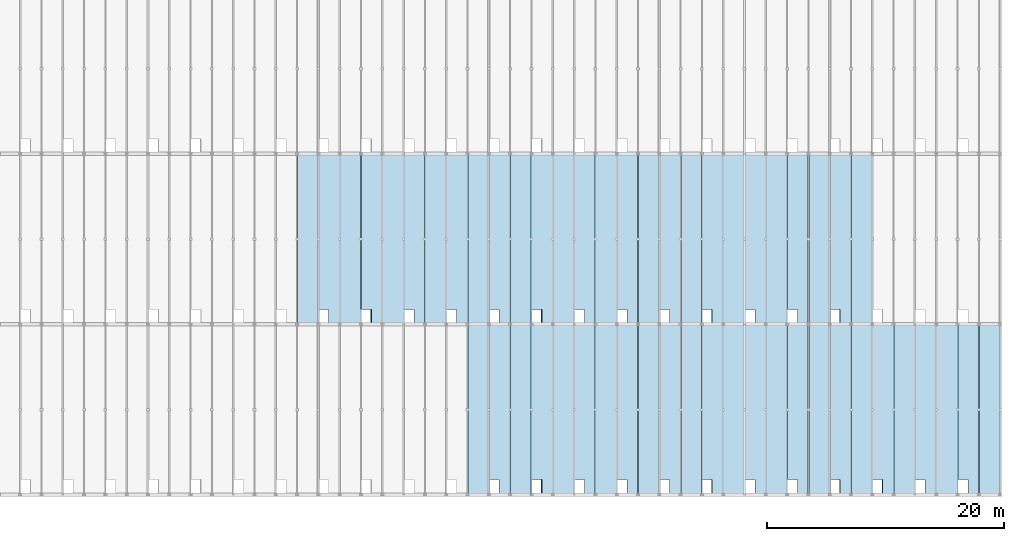
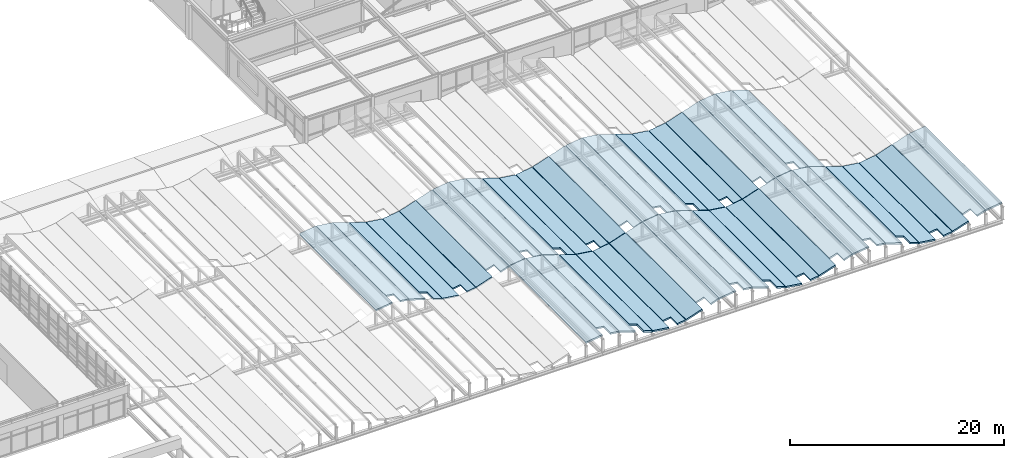
# One storey, part 58 of 83: 52 slabs.
"""IFC4 building model written with IfcOpenShell, lengths in metres."""

import ifcopenshell
import ifcopenshell.guid

model = None  # the IFC model being written
_history = None  # IfcOwnerHistory: only IFC2X3 demands one
_inside = {}  # id of a spatial element -> (the spatial element, [elements in it])
_under = {}  # id of a project, library or spatial element -> (it, [spatial elements below it])
_declared = {}  # id of a project -> (the project, [libraries it declares])
_typed = {}  # id of a type object -> (the type object, [elements of that type])
_made_of = {}  # id of a material, layer set ... -> (it, [elements and type objects made of it])


def new_model(schema):
    """Start an empty IFC model of exactly this schema.

    Asked for "IFC4X3", IfcOpenShell would pick the latest addendum, in which some entities
    have other attributes; the version numbers below select the first issue.
    IFC2X3 requires an IfcOwnerHistory on every rooted entity: one is made here for all.
    """
    global model, _history
    if schema == "IFC4X3":
        model = ifcopenshell.file(schema_version=(4, 3, 0, 0))
    else:
        model = ifcopenshell.file(schema=schema)
    _inside.clear()
    _under.clear()
    _declared.clear()
    _typed.clear()
    _made_of.clear()
    _history = None
    if model.schema == "IFC2X3":
        org = make("IfcOrganization", Name="unknown")
        user = make(
            "IfcPersonAndOrganization",
            ThePerson=make("IfcPerson", FamilyName="unknown"),
            TheOrganization=org,
        )
        app = make(
            "IfcApplication",
            ApplicationDeveloper=org,
            Version="unknown",
            ApplicationFullName="unknown",
            ApplicationIdentifier="unknown",
        )
        _history = make(
            "IfcOwnerHistory",
            OwningUser=user,
            OwningApplication=app,
            ChangeAction="ADDED",
            CreationDate=0,
        )
    return model


def make(cls, **values):
    """One entity of the class cls with the attributes given. An attribute that is None is left unset."""
    return model.create_entity(
        cls, **{name: value for name, value in values.items() if value is not None}
    )


def rooted(cls, **values):
    """An entity with a GlobalId (a new one), such as an element, a storey or a relation."""
    return make(cls, GlobalId=ifcopenshell.guid.new(), OwnerHistory=_history, **values)


def si_unit(unit_type, name, prefix=None):
    """IfcSIUnit, for example si_unit("LENGTHUNIT", "METRE", prefix="MILLI")."""
    return make("IfcSIUnit", UnitType=unit_type, Prefix=prefix, Name=name)


def assignment(units):
    """IfcUnitAssignment: the units of a project."""
    return None if units is None else make("IfcUnitAssignment", Units=units)


def point(xyz):
    """IfcCartesianPoint."""
    return None if xyz is None else make("IfcCartesianPoint", Coordinates=xyz)


def direction(xyz):
    """IfcDirection."""
    return None if xyz is None else make("IfcDirection", DirectionRatios=xyz)


def frame(location, z_axis=None, x_axis=None):
    """IfcAxis2Placement3D, a coordinate frame: its origin and axes. An axis left out is left unset."""
    return make(
        "IfcAxis2Placement3D",
        Location=point(location),
        Axis=direction(z_axis),
        RefDirection=direction(x_axis),
    )


def origin():
    """The frame at (0, 0, 0) with its axes left unset."""
    return frame((0.0, 0.0, 0.0))


def place(relative_to, where):
    """IfcLocalPlacement: puts the frame where relative to a parent placement (None: the world)."""
    return make(
        "IfcLocalPlacement", PlacementRelTo=relative_to, RelativePlacement=where
    )


def context(
    kind, dimensions, precision=None, world=None, true_north=None, identifier=None
):
    """IfcGeometricRepresentationContext, for example the 3D "Model" context."""
    return make(
        "IfcGeometricRepresentationContext",
        ContextIdentifier=identifier,
        ContextType=kind,
        CoordinateSpaceDimension=dimensions,
        Precision=precision,
        WorldCoordinateSystem=world,
        TrueNorth=true_north,
    )


def subcontext(parent, identifier, kind, view, scale=None):
    """IfcGeometricRepresentationSubContext, for example "Body" below "Model"."""
    return make(
        "IfcGeometricRepresentationSubContext",
        ContextIdentifier=identifier,
        ContextType=kind,
        ParentContext=parent,
        TargetScale=scale,
        TargetView=view,
    )


def project(units=None, contexts=None):
    """IfcProject with its units and contexts."""
    return rooted(
        "IfcProject",
        Name="project",
        RepresentationContexts=contexts,
        UnitsInContext=assignment(units),
    )


def spatial(cls, under=None, at=None, **own):
    """A site, building, storey or space (cls), placed at a placement, below another one or the project."""
    s = rooted(cls, ObjectPlacement=at, **own)
    if under is not None:
        _under.setdefault(under.id(), (under, []))[1].append(s)
    return s


def polyline(points):
    """IfcPolyline through the points."""
    return make("IfcPolyline", Points=[point(p) for p in points])


def outline(outer, holes=None, kind="AREA"):
    """IfcArbitraryClosedProfileDef: a profile drawn as a closed curve; with holes, ...WithVoids."""
    if holes is None:
        return make("IfcArbitraryClosedProfileDef", ProfileType=kind, OuterCurve=outer)
    return make(
        "IfcArbitraryProfileDefWithVoids",
        ProfileType=kind,
        OuterCurve=outer,
        InnerCurves=holes,
    )


def extrude(swept, where, along, depth):
    """IfcExtrudedAreaSolid: the profile swept, set in the frame where, extruded along a direction by depth."""
    return make(
        "IfcExtrudedAreaSolid",
        SweptArea=swept,
        Position=where,
        ExtrudedDirection=direction(along),
        Depth=depth,
    )


def shape(context_of_items, identifier, shape_type, items):
    """IfcShapeRepresentation: the items that make up one representation, for example the "Body"."""
    return make(
        "IfcShapeRepresentation",
        ContextOfItems=context_of_items,
        RepresentationIdentifier=identifier,
        RepresentationType=shape_type,
        Items=items,
    )


def material(Name=None, Category=None):
    """IfcMaterial."""
    return make("IfcMaterial", Name=Name, Category=Category)


def layer(
    of_material, thickness, ventilated=None, Name=None, Category=None, Priority=None
):
    """IfcMaterialLayer: one layer of a wall or slab, of a material (None: an air gap)."""
    return make(
        "IfcMaterialLayer",
        Material=of_material,
        LayerThickness=thickness,
        IsVentilated=ventilated,
        Name=Name,
        Category=Category,
        Priority=Priority,
    )


def layer_set(layers, Name=None):
    """IfcMaterialLayerSet."""
    return make("IfcMaterialLayerSet", MaterialLayers=layers, LayerSetName=Name)


def made_of(thing, what):
    """Note that an element or type object is made of a material, layer set ...; save() writes the relation."""
    if what is not None:
        _made_of.setdefault(what.id(), (what, []))[1].append(thing)
    return thing


def type_object(cls, material=None, **own):
    """A type object (cls), such as IfcWallType, which elements share."""
    return made_of(rooted(cls, **own), material)


def element(
    cls,
    number,
    at=None,
    inside=None,
    cuts=None,
    type_object=None,
    material=None,
    context=None,
    identifier="Body",
    shape_type=None,
    held_by="IfcProductDefinitionShape",
    body=None,
    shapes=None,
    **own,
):
    """One element of the class cls, such as IfcWall. Its Tag is "e" and its number.

    at: its placement. inside: the storey or other place that contains it. cuts: it is an
    opening in that element (IfcRelVoidsElement). A single representation is given by context,
    identifier, shape_type and body (its items); several are given by shapes. held_by: the class
    of the entity that holds the representations. save() writes the other relations.
    """
    e = rooted(cls, Tag="e%d" % number, ObjectPlacement=at, **own)
    if body is not None:
        shapes = [shape(context, identifier, shape_type, body)]
    if shapes is not None:
        e.Representation = make(held_by, Representations=shapes)
    if inside is not None:
        _inside.setdefault(inside.id(), (inside, []))[1].append(e)
    if cuts is not None:
        rooted(
            "IfcRelVoidsElement", RelatingBuildingElement=cuts, RelatedOpeningElement=e
        )
    if type_object is not None:
        _typed.setdefault(type_object.id(), (type_object, []))[1].append(e)
    return made_of(e, material)


def aggregate(whole, parts):
    """IfcRelAggregates: a whole, such as a stair, and the parts it consists of."""
    return rooted("IfcRelAggregates", RelatingObject=whole, RelatedObjects=parts)


def save(model, path):
    """Write the relations noted so far, then the file.

    IfcRelAggregates (storeys below a building ...), IfcRelContainedInSpatialStructure (elements
    in a storey), IfcRelDefinesByType, IfcRelAssociatesMaterial and IfcRelDeclares: one each for
    every whole, place, type object, material and project.
    """
    for whole, parts in _under.values():
        aggregate(whole, parts)
    for where, things in _inside.values():
        rooted(
            "IfcRelContainedInSpatialStructure",
            RelatedElements=things,
            RelatingStructure=where,
        )
    for kind, things in _typed.values():
        rooted("IfcRelDefinesByType", RelatedObjects=things, RelatingType=kind)
    for what, things in _made_of.values():
        rooted("IfcRelAssociatesMaterial", RelatedObjects=things, RelatingMaterial=what)
    for by, libraries in _declared.values():
        rooted("IfcRelDeclares", RelatingContext=by, RelatedDefinitions=libraries)
    model.write(path)


model = new_model("IFC4")

# Units and contexts
model_context = context("Model", 3, precision=1e-05, world=origin(), true_north=direction((0.0, 1.0)))
body_context = subcontext(model_context, "Body", "Model", "MODEL_VIEW")
ifc_project = project(units=[si_unit("LENGTHUNIT", "METRE"), si_unit("AREAUNIT", "SQUARE_METRE"), si_unit("VOLUMEUNIT", "CUBIC_METRE"), si_unit("PLANEANGLEUNIT", "RADIAN"), si_unit("MASSUNIT", "GRAM", prefix="KILO")], contexts=[model_context])

# Site, building, storey
site_placement = place(None, origin())
site = spatial("IfcSite", under=ifc_project, at=site_placement, CompositionType="ELEMENT")
building_placement = place(site_placement, origin())
building = spatial("IfcBuilding", under=site, at=building_placement, Name="Leyfeld Transit Interchange", CompositionType="ELEMENT")
storey_placement = place(building_placement, frame((0.0, 0.0, 5.39990234375)))
storey = spatial("IfcBuildingStorey", under=building, at=storey_placement, Name="L01", CompositionType="ELEMENT", Elevation=5.39990234375)

# Slabs
ifc_material = material(Name="Precast concrete C40/50", Category="concrete")
ifc_layer_1 = layer(ifc_material, 0.1650390625, Name="Precast concrete C40/50")
ifc_layer_set_1 = layer_set([ifc_layer_1], Name="Precast concrete C40/50")
slab_type_1 = type_object("IfcSlabType", Name="SLB-WAVE-165", PredefinedType="ROOF", material=ifc_layer_set_1)
slab_1_placement = place(storey_placement, frame((127.820068359375, 14.419921875, 2.556396484375), z_axis=(-0.137130242691, 0.0, 0.990553025607), x_axis=(0.990553025607, 0.0, 0.137130242691)))
element("IfcSlab", 1, at=slab_1_placement, inside=storey, type_object=slab_type_1, Name="Bus Canopy Wave Shell R2 S16", PredefinedType="ROOF", context=body_context, shape_type="SweptSolid", body=[
    extrude(outline(polyline([(0.0, 0.0), (1.7767951034686682, 0.0), (1.7767951034686682, 14.360107421875), (0.0, 14.360107421875), (0.0, 0.0)])), origin(), (0.0, 0.0, -1.0), 0.1650390625),
])
slab_2_placement = place(storey_placement, frame((129.6201171875, 15.669921875, 2.800048828125), z_axis=(0.13714853903, -2.65841e-07, 0.990550492525), x_axis=(0.990550492525, -2e-12, -0.13714853903)))
element("IfcSlab", 2, at=slab_2_placement, inside=storey, type_object=slab_type_1, Name="Bus Canopy Wave Shell R2 S17", PredefinedType="ROOF", context=body_context, shape_type="SweptSolid", body=[
    extrude(outline(polyline([(0.0, 0.0), (0.8579618799542766, 0.0), (0.8579618799572338, -1.249999999999956), (1.7765532695521897, -1.2499999999959297), (1.7765532695182176, 13.110107421878565), (-3.1014925315167405e-11, 13.11010742187454), (0.0, 0.0)])), origin(), (0.0, 0.0, -1.0), 0.1650390625),
])
slab_3_placement = place(storey_placement, frame((131.419921875, 14.419921875, 2.5458984375), z_axis=(0.317056465138, 0.0, 0.948406662732), x_axis=(0.948406662732, 0.0, -0.317056465138)))
element("IfcSlab", 3, at=slab_3_placement, inside=storey, type_object=slab_type_1, Name="Bus Canopy Wave Shell R2 S18", PredefinedType="ROOF", context=body_context, shape_type="SweptSolid", body=[
    extrude(outline(polyline([(0.0, 0.0), (1.8557543243692887, 0.0), (1.8557543243692887, 14.360107421875), (0.0, 14.360107421875), (0.0, 0.0)])), origin(), (0.0, 0.0, -1.0), 0.1650390625),
])
slab_4_placement = place(storey_placement, frame((133.219970703125, 15.669921875, 1.942626953125), z_axis=(0.317056978235, 4.01592e-07, 0.948406491201), x_axis=(0.948406491201, -5e-12, -0.317056978235)))
element("IfcSlab", 4, at=slab_4_placement, inside=storey, type_object=slab_type_1, Name="Bus Canopy Wave Shell R2 S19", PredefinedType="ROOF", context=body_context, shape_type="SweptSolid", body=[
    extrude(outline(polyline([(0.0, 0.0), (0.8963392883369066, 0.0), (0.896339288343366, -1.2499999999998992), (1.8557543243754762, -1.2499999999907128), (1.8557543243012695, 13.110107421883129), (-6.77471705759284e-11, 13.110107421873941), (0.0, 0.0)])), origin(), (0.0, 0.0, -1.0), 0.1650390625),
])
slab_5_placement = place(storey_placement, frame((135.02001953125, 14.419921875, 1.34375), z_axis=(0.137130242691, 0.0, 0.990553025607), x_axis=(0.990553025607, 0.0, -0.137130242691)))
element("IfcSlab", 5, at=slab_5_placement, inside=storey, type_object=slab_type_1, Name="Bus Canopy Wave Shell R2 S20", PredefinedType="ROOF", context=body_context, shape_type="SweptSolid", body=[
    extrude(outline(polyline([(0.0, 0.0), (1.7767951034686682, 0.0), (1.7767951034686682, 14.360107421875), (0.0, 14.360107421875), (0.0, 0.0)])), origin(), (0.0, 0.0, -1.0), 0.1650390625),
])
slab_6_placement = place(storey_placement, frame((136.820068359375, 15.669921875, 1.10009765625), z_axis=(-0.137129053141, 8.53497e-07, 0.990553190285), x_axis=(0.990553190285, -2.4e-11, 0.137129053141)))
element("IfcSlab", 6, at=slab_6_placement, inside=storey, type_object=slab_type_1, Name="Bus Canopy Wave Shell R2 S21", PredefinedType="ROOF", context=body_context, shape_type="SweptSolid", body=[
    extrude(outline(polyline([(0.0, 0.0), (0.8579618796380764, 2.6469779601696886e-23), (0.8579618796685577, -1.2499999999995448), (1.7767951034978684, -1.2499999999580387), (1.776795103147696, 13.110107421911732), (-3.1969100427400207e-10, 13.110107421870225), (0.0, 0.0)])), origin(), (0.0, 0.0, -1.0), 0.1650390625),
])
slab_7_placement = place(storey_placement, frame((138.6201171875, 14.419921875, 1.354248046875), z_axis=(-0.317096029298, 0.0, 0.948393435344), x_axis=(0.948393435344, 0.0, 0.317096029298)))
element("IfcSlab", 7, at=slab_7_placement, inside=storey, type_object=slab_type_1, Name="Bus Canopy Wave Shell R2 S22", PredefinedType="ROOF", context=body_context, shape_type="SweptSolid", body=[
    extrude(outline(polyline([(0.0, 0.0), (1.8555227813884656, 0.0), (1.8555227813884656, 14.360107421875), (0.0, 14.360107421875), (0.0, 0.0)])), origin(), (0.0, 0.0, -1.0), 0.1650390625),
])
slab_8_placement = place(storey_placement, frame((140.419921875, 15.669921875, 1.95751953125), z_axis=(-0.317056978235, -4.01592e-07, 0.948406491201), x_axis=(0.948406491201, -5e-12, 0.317056978235)))
element("IfcSlab", 8, at=slab_8_placement, inside=storey, type_object=slab_type_1, Name="Bus Canopy Wave Shell R2 S23", PredefinedType="ROOF", context=body_context, shape_type="SweptSolid", body=[
    extrude(outline(polyline([(0.0, 0.0), (0.8963392883369066, 0.0), (0.896339288343366, -1.2499999999998992), (1.8557543243754762, -1.2499999999907128), (1.8557543243012695, 13.110107421883129), (-6.77471705759284e-11, 13.110107421873941), (0.0, 0.0)])), origin(), (0.0, 0.0, -1.0), 0.1650390625),
])
slab_9_placement = place(storey_placement, frame((142.219970703125, 14.419921875, 2.556396484375), z_axis=(-0.137130242691, 0.0, 0.990553025607), x_axis=(0.990553025607, 0.0, 0.137130242691)))
element("IfcSlab", 9, at=slab_9_placement, inside=storey, type_object=slab_type_1, Name="Bus Canopy Wave Shell R2 S24", PredefinedType="ROOF", context=body_context, shape_type="SweptSolid", body=[
    extrude(outline(polyline([(0.0, 0.0), (1.7767951034686682, 0.0), (1.7767951034686682, 14.360107421875), (0.0, 14.360107421875), (0.0, 0.0)])), origin(), (0.0, 0.0, -1.0), 0.1650390625),
])
slab_10_placement = place(storey_placement, frame((144.02001953125, 15.669921875, 2.800048828125), z_axis=(0.137130749105, 3.63351e-07, 0.9905529555), x_axis=(0.9905529555, -4e-12, -0.137130749105)))
element("IfcSlab", 10, at=slab_10_placement, inside=storey, type_object=slab_type_1, Name="Bus Canopy Wave Shell R2 S25", PredefinedType="ROOF", context=body_context, shape_type="SweptSolid", body=[
    extrude(outline(polyline([(0.0, 0.0), (0.8582037138964392, 6.617444900424222e-24), (0.858203713901962, -1.2499999999999176), (1.7767951034739589, -1.2499999999923974), (1.7767951034105125, 13.110107421881656), (-5.792355504934759e-11, 13.110107421874135), (0.0, 0.0)])), origin(), (0.0, 0.0, -1.0), 0.1650390625),
])
slab_11_placement = place(storey_placement, frame((145.820068359375, 14.419921875, 2.5458984375), z_axis=(0.317056465138, 0.0, 0.948406662732), x_axis=(0.948406662732, 0.0, -0.317056465138)))
element("IfcSlab", 11, at=slab_11_placement, inside=storey, type_object=slab_type_1, Name="Bus Canopy Wave Shell R2 S26", PredefinedType="ROOF", context=body_context, shape_type="SweptSolid", body=[
    extrude(outline(polyline([(0.0, 0.0), (1.8557543243692887, 0.0), (1.8557543243692887, 14.360107421875), (0.0, 14.360107421875), (0.0, 0.0)])), origin(), (0.0, 0.0, -1.0), 0.1650390625),
])
slab_12_placement = place(storey_placement, frame((147.6201171875, 15.669921875, 1.942626953125), z_axis=(0.317094683602, -1.053136e-06, 0.948393885277), x_axis=(0.948393885277, -3.6e-11, -0.317094683602)))
element("IfcSlab", 12, at=slab_12_placement, inside=storey, type_object=slab_type_1, Name="Bus Canopy Wave Shell R2 S27", PredefinedType="ROOF", context=body_context, shape_type="SweptSolid", body=[
    extrude(outline(polyline([(0.0, 0.0), (0.8961077456940829, 0.0), (0.896107745738516, -1.249999999999307), (1.8555227814310307, -1.2499999999361224), (1.8555227809205794, 13.110107421930916), (-4.660181617543322e-10, 13.110107421867731), (0.0, 0.0)])), origin(), (0.0, 0.0, -1.0), 0.1650390625),
])
slab_13_placement = place(storey_placement, frame((149.419921875, 14.419921875, 1.34375), z_axis=(0.137130242691, 0.0, 0.990553025607), x_axis=(0.990553025607, 0.0, -0.137130242691)))
element("IfcSlab", 13, at=slab_13_placement, inside=storey, type_object=slab_type_1, Name="Bus Canopy Wave Shell R2 S28", PredefinedType="ROOF", context=body_context, shape_type="SweptSolid", body=[
    extrude(outline(polyline([(0.0, 0.0), (1.7767951034686682, 0.0), (1.7767951034686682, 14.360107421875), (0.0, 14.360107421875), (0.0, 0.0)])), origin(), (0.0, 0.0, -1.0), 0.1650390625),
])
slab_14_placement = place(storey_placement, frame((151.219970703125, 15.669921875, 1.10009765625), z_axis=(-0.137130749105, -3.63351e-07, 0.9905529555), x_axis=(0.9905529555, -4e-12, 0.137130749105)))
element("IfcSlab", 14, at=slab_14_placement, inside=storey, type_object=slab_type_1, Name="Bus Canopy Wave Shell R2 S29", PredefinedType="ROOF", context=body_context, shape_type="SweptSolid", body=[
    extrude(outline(polyline([(0.0, 0.0), (0.8582037138964392, 6.617444900424222e-24), (0.858203713901962, -1.2499999999999176), (1.7767951034739589, -1.2499999999923974), (1.7767951034105125, 13.110107421881656), (-5.792355504934759e-11, 13.110107421874135), (0.0, 0.0)])), origin(), (0.0, 0.0, -1.0), 0.1650390625),
])
slab_15_placement = place(storey_placement, frame((153.02001953125, 14.419921875, 1.354248046875), z_axis=(-0.317056465138, 0.0, 0.948406662732), x_axis=(0.948406662732, 0.0, 0.317056465138)))
element("IfcSlab", 15, at=slab_15_placement, inside=storey, type_object=slab_type_1, Name="Bus Canopy Wave Shell R2 S30", PredefinedType="ROOF", context=body_context, shape_type="SweptSolid", body=[
    extrude(outline(polyline([(0.0, 0.0), (1.8557543243692887, 0.0), (1.8557543243692887, 14.360107421875), (0.0, 14.360107421875), (0.0, 0.0)])), origin(), (0.0, 0.0, -1.0), 0.1650390625),
])
slab_16_placement = place(storey_placement, frame((154.820068359375, 15.669921875, 1.95751953125), z_axis=(-0.317053383609, 2.411858e-06, 0.948407692892), x_axis=(0.948407692894, -1.86e-10, 0.31705338361)))
element("IfcSlab", 16, at=slab_16_placement, inside=storey, type_object=slab_type_1, Name="Bus Canopy Wave Shell R2 S31", PredefinedType="ROOF", context=body_context, shape_type="SweptSolid", body=[
    extrude(outline(polyline([(0.0, 0.0), (0.8961077435272856, 0.0), (0.8961077437603313, -1.2499999999963645), (1.8557543245925383, -1.2499999996649267), (1.8557543219152897, 13.110107422168308), (-2.4442029618846754e-09, 13.11010742183687), (0.0, 0.0)])), origin(), (0.0, 0.0, -1.0), 0.1650390625),
])
slab_17_placement = place(storey_placement, frame((156.6201171875, 14.419921875, 2.556396484375), z_axis=(-0.137148909592, 0.0, 0.990550441218), x_axis=(0.990550441218, 0.0, 0.137148909592)))
element("IfcSlab", 17, at=slab_17_placement, inside=storey, type_object=slab_type_1, Name="Bus Canopy Wave Shell R2 S32", PredefinedType="ROOF", context=body_context, shape_type="SweptSolid", body=[
    extrude(outline(polyline([(0.0, 0.0), (1.7765532695493567, 0.0), (1.7765532695493567, 14.360107421875), (0.0, 14.360107421875), (0.0, 0.0)])), origin(), (0.0, 0.0, -1.0), 0.1650390625),
])
slab_18_placement = place(storey_placement, frame((158.419921875, 15.669921875, 2.800048828125), z_axis=(0.137130749105, 3.63351e-07, 0.9905529555), x_axis=(0.9905529555, -4e-12, -0.137130749105)))
element("IfcSlab", 18, at=slab_18_placement, inside=storey, type_object=slab_type_1, Name="Bus Canopy Wave Shell R2 S33", PredefinedType="ROOF", context=body_context, shape_type="SweptSolid", body=[
    extrude(outline(polyline([(0.0, 0.0), (0.8582037138964392, 6.617444900424222e-24), (0.858203713901962, -1.2499999999999176), (1.7767951034739589, -1.2499999999923974), (1.7767951034105125, 13.110107421881656), (-5.792355504934759e-11, 13.110107421874135), (0.0, 0.0)])), origin(), (0.0, 0.0, -1.0), 0.1650390625),
])
slab_19_placement = place(storey_placement, frame((160.219970703125, 14.419921875, 2.5458984375), z_axis=(0.317056465138, 0.0, 0.948406662732), x_axis=(0.948406662732, 0.0, -0.317056465138)))
element("IfcSlab", 19, at=slab_19_placement, inside=storey, type_object=slab_type_1, Name="Bus Canopy Wave Shell R2 S34", PredefinedType="ROOF", context=body_context, shape_type="SweptSolid", body=[
    extrude(outline(polyline([(0.0, 0.0), (1.8557543243692887, 0.0), (1.8557543243692887, 14.360107421875), (0.0, 14.360107421875), (0.0, 0.0)])), origin(), (0.0, 0.0, -1.0), 0.1650390625),
])
slab_20_placement = place(storey_placement, frame((162.02001953125, 15.669921875, 1.942626953125), z_axis=(0.317056978235, 4.01592e-07, 0.948406491201), x_axis=(0.948406491201, -5e-12, -0.317056978235)))
element("IfcSlab", 20, at=slab_20_placement, inside=storey, type_object=slab_type_1, Name="Bus Canopy Wave Shell R2 S35", PredefinedType="ROOF", context=body_context, shape_type="SweptSolid", body=[
    extrude(outline(polyline([(0.0, 0.0), (0.8963392883369066, 0.0), (0.896339288343366, -1.2499999999998992), (1.8557543243754762, -1.2499999999907128), (1.8557543243012695, 13.110107421883129), (-6.77471705759284e-11, 13.110107421873941), (0.0, 0.0)])), origin(), (0.0, 0.0, -1.0), 0.1650390625),
])
slab_21_placement = place(storey_placement, frame((163.820068359375, 14.419921875, 1.34375), z_axis=(0.137130242691, 0.0, 0.990553025607), x_axis=(0.990553025607, 0.0, -0.137130242691)))
element("IfcSlab", 21, at=slab_21_placement, inside=storey, type_object=slab_type_1, Name="Bus Canopy Wave Shell R2 S36", PredefinedType="ROOF", context=body_context, shape_type="SweptSolid", body=[
    extrude(outline(polyline([(0.0, 0.0), (1.7767951034686682, 0.0), (1.7767951034686682, 14.360107421875), (0.0, 14.360107421875), (0.0, 0.0)])), origin(), (0.0, 0.0, -1.0), 0.1650390625),
])
slab_22_placement = place(storey_placement, frame((165.6201171875, 15.669921875, 1.10009765625), z_axis=(-0.13714853903, 2.65841e-07, 0.990550492525), x_axis=(0.990550492525, -2e-12, 0.13714853903)))
element("IfcSlab", 22, at=slab_22_placement, inside=storey, type_object=slab_type_1, Name="Bus Canopy Wave Shell R2 S37", PredefinedType="ROOF", context=body_context, shape_type="SweptSolid", body=[
    extrude(outline(polyline([(0.0, 0.0), (0.8579618799542766, 0.0), (0.8579618799572338, -1.249999999999956), (1.7765532695521897, -1.2499999999959297), (1.7765532695182176, 13.110107421878565), (-3.1014925315167405e-11, 13.11010742187454), (0.0, 0.0)])), origin(), (0.0, 0.0, -1.0), 0.1650390625),
])
slab_23_placement = place(storey_placement, frame((167.419921875, 14.419921875, 1.354248046875), z_axis=(-0.317056465138, 0.0, 0.948406662732), x_axis=(0.948406662732, 0.0, 0.317056465138)))
element("IfcSlab", 23, at=slab_23_placement, inside=storey, type_object=slab_type_1, Name="Bus Canopy Wave Shell R2 S38", PredefinedType="ROOF", context=body_context, shape_type="SweptSolid", body=[
    extrude(outline(polyline([(0.0, 0.0), (1.8557543243692887, 0.0), (1.8557543243692887, 14.360107421875), (0.0, 14.360107421875), (0.0, 0.0)])), origin(), (0.0, 0.0, -1.0), 0.1650390625),
])
slab_24_placement = place(storey_placement, frame((169.219970703125, 15.669921875, 1.95751953125), z_axis=(-0.317056978235, -4.01592e-07, 0.948406491201), x_axis=(0.948406491201, -5e-12, 0.317056978235)))
element("IfcSlab", 24, at=slab_24_placement, inside=storey, type_object=slab_type_1, Name="Bus Canopy Wave Shell R2 S39", PredefinedType="ROOF", context=body_context, shape_type="SweptSolid", body=[
    extrude(outline(polyline([(0.0, 0.0), (0.8963392883369066, 0.0), (0.896339288343366, -1.2499999999998992), (1.8557543243754762, -1.2499999999907128), (1.8557543243012695, 13.110107421883129), (-6.77471705759284e-11, 13.110107421873941), (0.0, 0.0)])), origin(), (0.0, 0.0, -1.0), 0.1650390625),
])
slab_25_placement = place(storey_placement, frame((171.02001953125, 14.419921875, 2.556396484375), z_axis=(-0.137130242691, 0.0, 0.990553025607), x_axis=(0.990553025607, 0.0, 0.137130242691)))
element("IfcSlab", 25, at=slab_25_placement, inside=storey, type_object=slab_type_1, Name="Bus Canopy Wave Shell R2 S40", PredefinedType="ROOF", context=body_context, shape_type="SweptSolid", body=[
    extrude(outline(polyline([(0.0, 0.0), (1.7767951034686682, 0.0), (1.7767951034686682, 14.360107421875), (0.0, 14.360107421875), (0.0, 0.0)])), origin(), (0.0, 0.0, -1.0), 0.1650390625),
])
slab_26_placement = place(storey_placement, frame((172.820068359375, 15.669921875, 2.800048828125), z_axis=(0.137129053141, -8.53497e-07, 0.990553190285), x_axis=(0.990553190285, -2.4e-11, -0.137129053141)))
element("IfcSlab", 26, at=slab_26_placement, inside=storey, type_object=slab_type_1, Name="Bus Canopy Wave Shell R2 S41", PredefinedType="ROOF", context=body_context, shape_type="SweptSolid", body=[
    extrude(outline(polyline([(0.0, 0.0), (0.8579618796380764, 2.6469779601696886e-23), (0.8579618796685577, -1.2499999999995448), (1.7767951034978684, -1.2499999999580387), (1.776795103147696, 13.110107421911732), (-3.1969100427400207e-10, 13.110107421870225), (0.0, 0.0)])), origin(), (0.0, 0.0, -1.0), 0.1650390625),
])
slab_27_placement = place(storey_placement, frame((174.6201171875, 14.419921875, 2.5458984375), z_axis=(0.317096029298, 0.0, 0.948393435344), x_axis=(0.948393435344, 0.0, -0.317096029298)))
element("IfcSlab", 27, at=slab_27_placement, inside=storey, type_object=slab_type_1, Name="Bus Canopy Wave Shell R2 S42", PredefinedType="ROOF", context=body_context, shape_type="SweptSolid", body=[
    extrude(outline(polyline([(0.0, 0.0), (1.8555227813884656, 0.0), (1.8555227813884656, 14.360107421875), (0.0, 14.360107421875), (0.0, 0.0)])), origin(), (0.0, 0.0, -1.0), 0.1650390625),
])
ifc_layer_2 = layer(ifc_material, 0.179931640625, Name="Precast concrete C40/50")
ifc_layer_set_2 = layer_set([ifc_layer_2], Name="Precast concrete C40/50")
slab_type_2 = type_object("IfcSlabType", Name="SLB-WAVE-180", PredefinedType="ROOF", material=ifc_layer_set_2)
slab_28_placement = place(storey_placement, frame((142.219970703125, 0.02001953125, 2.556396484375), z_axis=(-0.137130242691, 0.0, 0.990553025607), x_axis=(0.990553025607, 0.0, 0.137130242691)))
element("IfcSlab", 28, at=slab_28_placement, inside=storey, type_object=slab_type_2, Name="Bus Canopy Wave Shell R1 S24", PredefinedType="ROOF", context=body_context, shape_type="SweptSolid", body=[
    extrude(outline(polyline([(0.0, 0.0), (1.7767951034686682, 0.0), (1.7767951034686682, 14.35986328125), (0.0, 14.35986328125), (0.0, 0.0)])), origin(), (0.0, 0.0, -1.0), 0.179931640625),
])
slab_29_placement = place(storey_placement, frame((144.02001953125, 1.27001953125, 2.800048828125), z_axis=(0.137130749114, 3.63357e-07, 0.990552955499), x_axis=(0.990552955499, -4e-12, -0.137130749114)))
element("IfcSlab", 29, at=slab_29_placement, inside=storey, type_object=slab_type_2, Name="Bus Canopy Wave Shell R1 S25", PredefinedType="ROOF", context=body_context, shape_type="SweptSolid", body=[
    extrude(outline(polyline([(0.0, 0.0), (0.8582037138964391, 6.617444900424222e-24), (0.858203713901962, -1.2499999999999176), (1.776795103473959, -1.2499999999923972), (1.7767951034105127, 13.109863281256656), (-5.792354759695129e-11, 13.109863281249135), (0.0, 0.0)])), origin(), (0.0, 0.0, -1.0), 0.179931640625),
])
slab_30_placement = place(storey_placement, frame((145.820068359375, 0.02001953125, 2.5458984375), z_axis=(0.317056465138, 0.0, 0.948406662732), x_axis=(0.948406662732, 0.0, -0.317056465138)))
element("IfcSlab", 30, at=slab_30_placement, inside=storey, type_object=slab_type_2, Name="Bus Canopy Wave Shell R1 S26", PredefinedType="ROOF", context=body_context, shape_type="SweptSolid", body=[
    extrude(outline(polyline([(0.0, 0.0), (1.8557543243692887, 0.0), (1.8557543243692887, 14.359863281250004), (0.0, 14.359863281250004), (0.0, 0.0)])), origin(), (0.0, 0.0, -1.0), 0.179931640625),
])
slab_31_placement = place(storey_placement, frame((147.6201171875, 1.27001953125, 1.942626953125), z_axis=(0.317094683578, -1.053155e-06, 0.948393885285), x_axis=(0.948393885285, -3.6e-11, -0.317094683578)))
element("IfcSlab", 31, at=slab_31_placement, inside=storey, type_object=slab_type_2, Name="Bus Canopy Wave Shell R1 S27", PredefinedType="ROOF", context=body_context, shape_type="SweptSolid", body=[
    extrude(outline(polyline([(0.0, 0.0), (0.8961077456940822, -5.293955920339377e-23), (0.8961077457385161, -1.249999999999307), (1.8555227814310316, -1.2499999999361213), (1.8555227809205794, 13.109863281305916), (-4.660181016979226e-10, 13.109863281242731), (0.0, 0.0)])), origin(), (0.0, 0.0, -1.0), 0.179931640625),
])
slab_32_placement = place(storey_placement, frame((149.419921875, 0.02001953125, 1.34375), z_axis=(0.137130242691, 0.0, 0.990553025607), x_axis=(0.990553025607, 0.0, -0.137130242691)))
element("IfcSlab", 32, at=slab_32_placement, inside=storey, type_object=slab_type_2, Name="Bus Canopy Wave Shell R1 S28", PredefinedType="ROOF", context=body_context, shape_type="SweptSolid", body=[
    extrude(outline(polyline([(0.0, 0.0), (1.7767951034686682, 0.0), (1.7767951034686682, 14.35986328125), (0.0, 14.35986328125), (0.0, 0.0)])), origin(), (0.0, 0.0, -1.0), 0.179931640625),
])
slab_33_placement = place(storey_placement, frame((151.219970703125, 1.27001953125, 1.10009765625), z_axis=(-0.137130749114, -3.63357e-07, 0.990552955499), x_axis=(0.990552955499, -4e-12, 0.137130749114)))
element("IfcSlab", 33, at=slab_33_placement, inside=storey, type_object=slab_type_2, Name="Bus Canopy Wave Shell R1 S29", PredefinedType="ROOF", context=body_context, shape_type="SweptSolid", body=[
    extrude(outline(polyline([(0.0, 0.0), (0.8582037138964391, 6.617444900424222e-24), (0.858203713901962, -1.2499999999999176), (1.776795103473959, -1.2499999999923972), (1.7767951034105127, 13.109863281256656), (-5.792354759695129e-11, 13.109863281249135), (0.0, 0.0)])), origin(), (0.0, 0.0, -1.0), 0.179931640625),
])
slab_34_placement = place(storey_placement, frame((153.02001953125, 0.02001953125, 1.354248046875), z_axis=(-0.317056465138, 0.0, 0.948406662732), x_axis=(0.948406662732, 0.0, 0.317056465138)))
element("IfcSlab", 34, at=slab_34_placement, inside=storey, type_object=slab_type_2, Name="Bus Canopy Wave Shell R1 S30", PredefinedType="ROOF", context=body_context, shape_type="SweptSolid", body=[
    extrude(outline(polyline([(0.0, 0.0), (1.8557543243692887, 0.0), (1.8557543243692887, 14.359863281250004), (0.0, 14.359863281250004), (0.0, 0.0)])), origin(), (0.0, 0.0, -1.0), 0.179931640625),
])
slab_35_placement = place(storey_placement, frame((154.820068359375, 1.27001953125, 1.95751953125), z_axis=(-0.317053383555, 2.411901e-06, 0.94840769291), x_axis=(0.948407692913, -1.86e-10, 0.317053383556)))
element("IfcSlab", 35, at=slab_35_placement, inside=storey, type_object=slab_type_2, Name="Bus Canopy Wave Shell R1 S31", PredefinedType="ROOF", context=body_context, shape_type="SweptSolid", body=[
    extrude(outline(polyline([(0.0, 0.0), (0.8961077435272815, 2.117582368135751e-22), (0.8961077437603315, -1.2499999999963642), (1.8557543245925423, -1.2499999996649207), (1.8557543219152897, 13.109863281543312), (-2.444202646422176e-09, 13.109863281211869), (0.0, 0.0)])), origin(), (0.0, 0.0, -1.0), 0.179931640625),
])
slab_36_placement = place(storey_placement, frame((156.6201171875, 0.02001953125, 2.556396484375), z_axis=(-0.137148909592, 0.0, 0.990550441218), x_axis=(0.990550441218, 0.0, 0.137148909592)))
element("IfcSlab", 36, at=slab_36_placement, inside=storey, type_object=slab_type_2, Name="Bus Canopy Wave Shell R1 S32", PredefinedType="ROOF", context=body_context, shape_type="SweptSolid", body=[
    extrude(outline(polyline([(0.0, 0.0), (1.7765532695493567, 0.0), (1.7765532695493567, 14.359863281250004), (0.0, 14.359863281250004), (0.0, 0.0)])), origin(), (0.0, 0.0, -1.0), 0.179931640625),
])
slab_37_placement = place(storey_placement, frame((158.419921875, 1.27001953125, 2.800048828125), z_axis=(0.137130749114, 3.63357e-07, 0.990552955499), x_axis=(0.990552955499, -4e-12, -0.137130749114)))
element("IfcSlab", 37, at=slab_37_placement, inside=storey, type_object=slab_type_2, Name="Bus Canopy Wave Shell R1 S33", PredefinedType="ROOF", context=body_context, shape_type="SweptSolid", body=[
    extrude(outline(polyline([(0.0, 0.0), (0.8582037138964391, 6.617444900424222e-24), (0.858203713901962, -1.2499999999999176), (1.776795103473959, -1.2499999999923972), (1.7767951034105127, 13.109863281256656), (-5.792354759695129e-11, 13.109863281249135), (0.0, 0.0)])), origin(), (0.0, 0.0, -1.0), 0.179931640625),
])
slab_38_placement = place(storey_placement, frame((160.219970703125, 0.02001953125, 2.5458984375), z_axis=(0.317056465138, 0.0, 0.948406662732), x_axis=(0.948406662732, 0.0, -0.317056465138)))
element("IfcSlab", 38, at=slab_38_placement, inside=storey, type_object=slab_type_2, Name="Bus Canopy Wave Shell R1 S34", PredefinedType="ROOF", context=body_context, shape_type="SweptSolid", body=[
    extrude(outline(polyline([(0.0, 0.0), (1.8557543243692887, 0.0), (1.8557543243692887, 14.359863281250004), (0.0, 14.359863281250004), (0.0, 0.0)])), origin(), (0.0, 0.0, -1.0), 0.179931640625),
])
slab_39_placement = place(storey_placement, frame((162.02001953125, 1.27001953125, 1.942626953125), z_axis=(0.317056978244, 4.01599e-07, 0.948406491198), x_axis=(0.948406491198, -5e-12, -0.317056978244)))
element("IfcSlab", 39, at=slab_39_placement, inside=storey, type_object=slab_type_2, Name="Bus Canopy Wave Shell R1 S35", PredefinedType="ROOF", context=body_context, shape_type="SweptSolid", body=[
    extrude(outline(polyline([(0.0, 0.0), (0.8963392883369066, 0.0), (0.8963392883433661, -1.2499999999998992), (1.8557543243754764, -1.2499999999907125), (1.8557543243012695, 13.10986328125813), (-6.774716185961031e-11, 13.109863281248943), (0.0, 0.0)])), origin(), (0.0, 0.0, -1.0), 0.179931640625),
])
slab_40_placement = place(storey_placement, frame((163.820068359375, 0.02001953125, 1.34375), z_axis=(0.137130242691, 0.0, 0.990553025607), x_axis=(0.990553025607, 0.0, -0.137130242691)))
element("IfcSlab", 40, at=slab_40_placement, inside=storey, type_object=slab_type_2, Name="Bus Canopy Wave Shell R1 S36", PredefinedType="ROOF", context=body_context, shape_type="SweptSolid", body=[
    extrude(outline(polyline([(0.0, 0.0), (1.7767951034686682, 0.0), (1.7767951034686682, 14.35986328125), (0.0, 14.35986328125), (0.0, 0.0)])), origin(), (0.0, 0.0, -1.0), 0.179931640625),
])
slab_41_placement = place(storey_placement, frame((165.6201171875, 1.27001953125, 1.10009765625), z_axis=(-0.137148539023, 2.65846e-07, 0.990550492526), x_axis=(0.990550492526, -2e-12, 0.137148539023)))
element("IfcSlab", 41, at=slab_41_placement, inside=storey, type_object=slab_type_2, Name="Bus Canopy Wave Shell R1 S37", PredefinedType="ROOF", context=body_context, shape_type="SweptSolid", body=[
    extrude(outline(polyline([(0.0, 0.0), (0.8579618799542765, 6.617444900424222e-24), (0.8579618799572337, -1.2499999999999558), (1.7765532695521895, -1.2499999999959297), (1.7765532695182173, 13.109863281253562), (-3.101492131776785e-11, 13.109863281249536), (0.0, 0.0)])), origin(), (0.0, 0.0, -1.0), 0.179931640625),
])
slab_42_placement = place(storey_placement, frame((167.419921875, 0.02001953125, 1.354248046875), z_axis=(-0.317056465138, 0.0, 0.948406662732), x_axis=(0.948406662732, 0.0, 0.317056465138)))
element("IfcSlab", 42, at=slab_42_placement, inside=storey, type_object=slab_type_2, Name="Bus Canopy Wave Shell R1 S38", PredefinedType="ROOF", context=body_context, shape_type="SweptSolid", body=[
    extrude(outline(polyline([(0.0, 0.0), (1.8557543243692887, 0.0), (1.8557543243692887, 14.359863281250004), (0.0, 14.359863281250004), (0.0, 0.0)])), origin(), (0.0, 0.0, -1.0), 0.179931640625),
])
slab_43_placement = place(storey_placement, frame((169.219970703125, 1.27001953125, 1.95751953125), z_axis=(-0.317056978244, -4.01599e-07, 0.948406491198), x_axis=(0.948406491198, -5e-12, 0.317056978244)))
element("IfcSlab", 43, at=slab_43_placement, inside=storey, type_object=slab_type_2, Name="Bus Canopy Wave Shell R1 S39", PredefinedType="ROOF", context=body_context, shape_type="SweptSolid", body=[
    extrude(outline(polyline([(0.0, 0.0), (0.8963392883369066, 0.0), (0.8963392883433661, -1.2499999999998992), (1.8557543243754764, -1.2499999999907125), (1.8557543243012695, 13.10986328125813), (-6.774716185961031e-11, 13.109863281248943), (0.0, 0.0)])), origin(), (0.0, 0.0, -1.0), 0.179931640625),
])
slab_44_placement = place(storey_placement, frame((171.02001953125, 0.02001953125, 2.556396484375), z_axis=(-0.137130242691, 0.0, 0.990553025607), x_axis=(0.990553025607, 0.0, 0.137130242691)))
element("IfcSlab", 44, at=slab_44_placement, inside=storey, type_object=slab_type_2, Name="Bus Canopy Wave Shell R1 S40", PredefinedType="ROOF", context=body_context, shape_type="SweptSolid", body=[
    extrude(outline(polyline([(0.0, 0.0), (1.7767951034686682, 0.0), (1.7767951034686682, 14.35986328125), (0.0, 14.35986328125), (0.0, 0.0)])), origin(), (0.0, 0.0, -1.0), 0.179931640625),
])
slab_45_placement = place(storey_placement, frame((172.820068359375, 1.27001953125, 2.800048828125), z_axis=(0.137129053119, -8.53513e-07, 0.990553190288), x_axis=(0.990553190288, -2.4e-11, -0.13712905312)))
element("IfcSlab", 45, at=slab_45_placement, inside=storey, type_object=slab_type_2, Name="Bus Canopy Wave Shell R1 S41", PredefinedType="ROOF", context=body_context, shape_type="SweptSolid", body=[
    extrude(outline(polyline([(0.0, 0.0), (0.8579618796380758, 1.3234889800848443e-23), (0.8579618796685577, -1.2499999999995446), (1.7767951034978688, -1.2499999999580378), (1.776795103147696, 13.109863281286732), (-3.1969096300248064e-10, 13.109863281245225), (0.0, 0.0)])), origin(), (0.0, 0.0, -1.0), 0.179931640625),
])
slab_46_placement = place(storey_placement, frame((174.6201171875, 0.02001953125, 2.5458984375), z_axis=(0.317096029298, 0.0, 0.948393435344), x_axis=(0.948393435344, 0.0, -0.317096029298)))
element("IfcSlab", 46, at=slab_46_placement, inside=storey, type_object=slab_type_2, Name="Bus Canopy Wave Shell R1 S42", PredefinedType="ROOF", context=body_context, shape_type="SweptSolid", body=[
    extrude(outline(polyline([(0.0, 0.0), (1.8555227813884656, 0.0), (1.8555227813884656, 14.35986328125), (0.0, 14.35986328125), (0.0, 0.0)])), origin(), (0.0, 0.0, -1.0), 0.179931640625),
])
slab_47_placement = place(storey_placement, frame((176.419921875, 1.27001953125, 1.942626953125), z_axis=(0.317056978244, 4.01599e-07, 0.948406491198), x_axis=(0.948406491198, -5e-12, -0.317056978244)))
element("IfcSlab", 47, at=slab_47_placement, inside=storey, type_object=slab_type_2, Name="Bus Canopy Wave Shell R1 S43", PredefinedType="ROOF", context=body_context, shape_type="SweptSolid", body=[
    extrude(outline(polyline([(0.0, 0.0), (0.8963392883369066, 0.0), (0.8963392883433661, -1.2499999999998992), (1.8557543243754764, -1.2499999999907125), (1.8557543243012695, 13.10986328125813), (-6.774716185961031e-11, 13.109863281248943), (0.0, 0.0)])), origin(), (0.0, 0.0, -1.0), 0.179931640625),
])
slab_48_placement = place(storey_placement, frame((178.219970703125, 0.02001953125, 1.34375), z_axis=(0.137130242691, 0.0, 0.990553025607), x_axis=(0.990553025607, 0.0, -0.137130242691)))
element("IfcSlab", 48, at=slab_48_placement, inside=storey, type_object=slab_type_2, Name="Bus Canopy Wave Shell R1 S44", PredefinedType="ROOF", context=body_context, shape_type="SweptSolid", body=[
    extrude(outline(polyline([(0.0, 0.0), (1.7767951034686682, 0.0), (1.7767951034686682, 14.35986328125), (0.0, 14.35986328125), (0.0, 0.0)])), origin(), (0.0, 0.0, -1.0), 0.179931640625),
])
slab_49_placement = place(storey_placement, frame((180.02001953125, 1.27001953125, 1.10009765625), z_axis=(-0.137130749114, -3.63357e-07, 0.990552955499), x_axis=(0.990552955499, -4e-12, 0.137130749114)))
element("IfcSlab", 49, at=slab_49_placement, inside=storey, type_object=slab_type_2, Name="Bus Canopy Wave Shell R1 S45", PredefinedType="ROOF", context=body_context, shape_type="SweptSolid", body=[
    extrude(outline(polyline([(0.0, 0.0), (0.8582037138964391, 6.617444900424222e-24), (0.858203713901962, -1.2499999999999176), (1.776795103473959, -1.2499999999923972), (1.7767951034105127, 13.109863281256656), (-5.792354759695129e-11, 13.109863281249135), (0.0, 0.0)])), origin(), (0.0, 0.0, -1.0), 0.179931640625),
])
slab_50_placement = place(storey_placement, frame((181.820068359375, 0.02001953125, 1.354248046875), z_axis=(-0.317056465138, 0.0, 0.948406662732), x_axis=(0.948406662732, 0.0, 0.317056465138)))
element("IfcSlab", 50, at=slab_50_placement, inside=storey, type_object=slab_type_2, Name="Bus Canopy Wave Shell R1 S46", PredefinedType="ROOF", context=body_context, shape_type="SweptSolid", body=[
    extrude(outline(polyline([(0.0, 0.0), (1.8557543243692887, 0.0), (1.8557543243692887, 14.359863281250004), (0.0, 14.359863281250004), (0.0, 0.0)])), origin(), (0.0, 0.0, -1.0), 0.179931640625),
])
slab_51_placement = place(storey_placement, frame((183.6201171875, 1.27001953125, 1.95751953125), z_axis=(-0.317094683578, 1.053155e-06, 0.948393885285), x_axis=(0.948393885285, -3.6e-11, 0.317094683578)))
element("IfcSlab", 51, at=slab_51_placement, inside=storey, type_object=slab_type_2, Name="Bus Canopy Wave Shell R1 S47", PredefinedType="ROOF", context=body_context, shape_type="SweptSolid", body=[
    extrude(outline(polyline([(0.0, 0.0), (0.8961077456940822, -5.293955920339377e-23), (0.8961077457385161, -1.249999999999307), (1.8555227814310316, -1.2499999999361213), (1.8555227809205794, 13.109863281305916), (-4.660181016979226e-10, 13.109863281242731), (0.0, 0.0)])), origin(), (0.0, 0.0, -1.0), 0.179931640625),
])
slab_52_placement = place(storey_placement, frame((185.419921875, 0.02001953125, 2.556396484375), z_axis=(-0.137130242691, 0.0, 0.990553025607), x_axis=(0.990553025607, 0.0, 0.137130242691)))
element("IfcSlab", 52, at=slab_52_placement, inside=storey, type_object=slab_type_2, Name="Bus Canopy Wave Shell R1 S48", PredefinedType="ROOF", context=body_context, shape_type="SweptSolid", body=[
    extrude(outline(polyline([(0.0, 0.0), (1.7767951034686682, 0.0), (1.7767951034686682, 14.35986328125), (0.0, 14.35986328125), (0.0, 0.0)])), origin(), (0.0, 0.0, -1.0), 0.179931640625),
])

save(model, "model.ifc")
